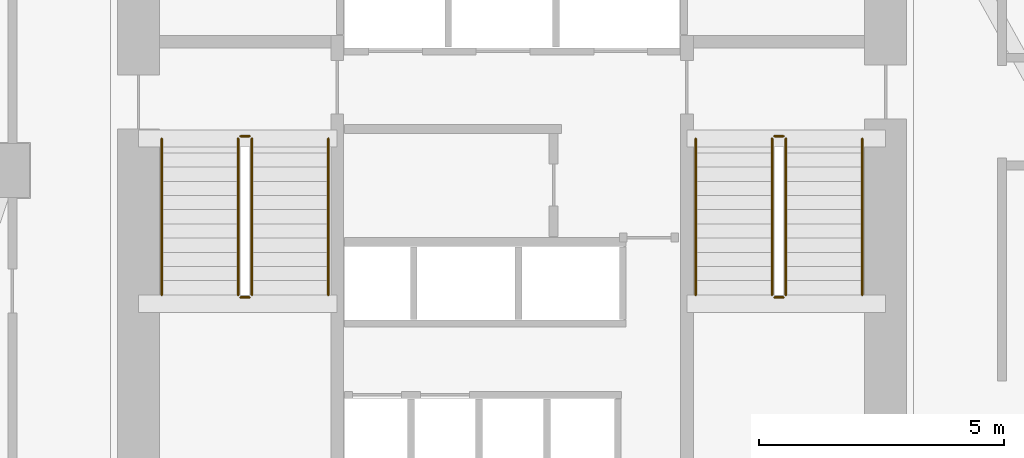
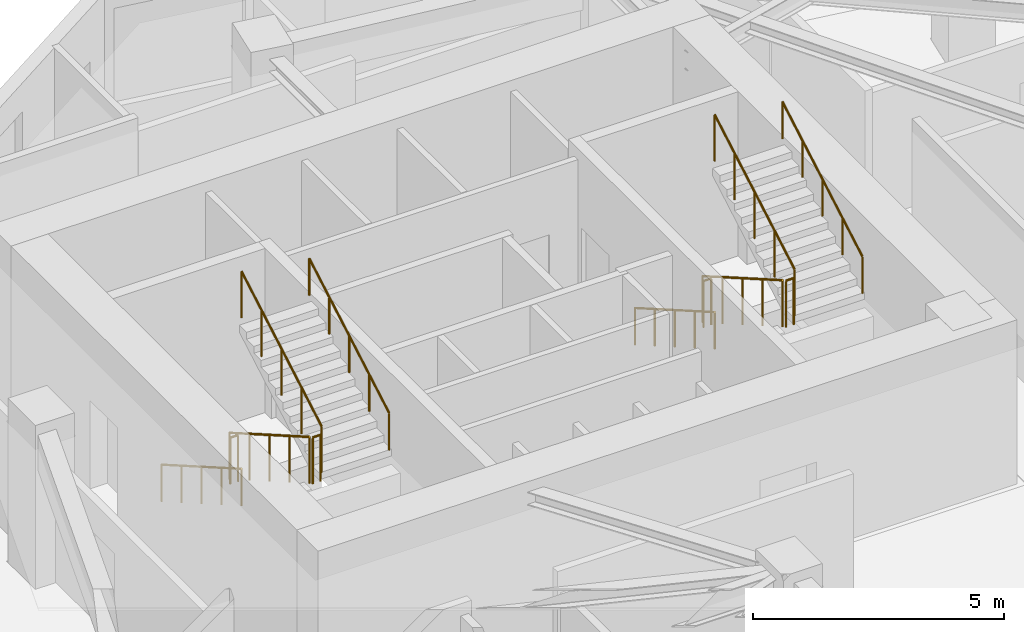
# One storey, part 11 of 11: 12 railings.
"""IFC4 building model written with IfcOpenShell, lengths in metres."""

from ifc_helpers import new_model, si_unit, direction, frame, origin, origin_2d, place, context, subcontext, project, spatial, circle, extrude, material, type_object, element, save


model = new_model("IFC4")

# Units and contexts
model_context = context("Model", 3, precision=1e-05, world=origin(), true_north=direction((0.0, 1.0)))
body_context = subcontext(model_context, "Body", "Model", "MODEL_VIEW")
ifc_project = project(units=[si_unit("LENGTHUNIT", "METRE"), si_unit("AREAUNIT", "SQUARE_METRE"), si_unit("VOLUMEUNIT", "CUBIC_METRE"), si_unit("PLANEANGLEUNIT", "RADIAN"), si_unit("MASSUNIT", "GRAM", prefix="KILO")], contexts=[model_context])

# Site, building, storey
site_placement = place(None, origin())
site = spatial("IfcSite", under=ifc_project, at=site_placement, CompositionType="ELEMENT")
building_placement = place(site_placement, origin())
building = spatial("IfcBuilding", under=site, at=building_placement, Name="Calvemar Wedge Station Tower", CompositionType="ELEMENT")
storey_placement = place(building_placement, frame((0.0, 0.0, 43.0)))
storey = spatial("IfcBuildingStorey", under=building, at=storey_placement, Name="L10", CompositionType="ELEMENT", Elevation=43.0)

# Railings
ifc_material_1 = material(Name="Stainless steel AISI 316L", Category="steel")
railing_type_1 = type_object("IfcRailingType", Name="RL-HANDRAIL-920", PredefinedType="HANDRAIL", material=ifc_material_1)
railing_1_placement = place(storey_placement, frame((16.64990234375, 41.14990234375, 0.166748046875)))
element("IfcRailing", 1, at=railing_1_placement, inside=storey, type_object=railing_type_1, Name="L10 ST-C1 stair handrail 1", PredefinedType="HANDRAIL", context=body_context, shape_type="SweptSolid", body=[
    extrude(circle(Radius=0.02392578125, at=origin_2d()), frame((0.0, 0.0, 0.89599609375), z_axis=(0.0, -0.867019545617, 0.498274128887), x_axis=(1.0, 0.0, 0.0)), (0.0, 0.0, 1.0), 3.67919921875),
    extrude(circle(Radius=0.02099609375, at=origin_2d()), origin(), (0.0, 0.0, 1.0), 0.871826171875),
    extrude(circle(Radius=0.02099609375, at=origin_2d()), frame((0.0, -0.79736328125, 0.458251953125)), (0.0, 0.0, 1.0), 0.871826171875),
    extrude(circle(Radius=0.02099609375, at=origin_2d()), frame((0.0, -1.594970703125, 0.91650390625)), (0.0, 0.0, 1.0), 0.871826171875),
    extrude(circle(Radius=0.02099609375, at=origin_2d()), frame((0.0, -2.392578125, 1.375)), (0.0, 0.0, 1.0), 0.871826171875),
    extrude(circle(Radius=0.02099609375, at=origin_2d()), frame((0.0, -3.18994140625, 1.833251953125)), (0.0, 0.0, 1.0), 0.871826171875),
])
railing_2_placement = place(storey_placement, frame((20.050048828125, 37.9599609375, 2.166748046875)))
element("IfcRailing", 2, at=railing_2_placement, inside=storey, type_object=railing_type_1, Name="L10 ST-C1 stair handrail 2", PredefinedType="HANDRAIL", context=body_context, shape_type="SweptSolid", body=[
    extrude(circle(Radius=0.02392578125, at=origin_2d()), frame((0.0, 0.0, 0.89599609375), z_axis=(0.0, 0.867019545617, 0.498274128887), x_axis=(-1.0, 0.0, 0.0)), (0.0, 0.0, 1.0), 3.67919921875),
    extrude(circle(Radius=0.02099609375, at=origin_2d()), origin(), (0.0, 0.0, 1.0), 0.871826171875),
    extrude(circle(Radius=0.02099609375, at=origin_2d()), frame((0.0, 0.79736328125, 0.458251953125)), (0.0, 0.0, 1.0), 0.871826171875),
    extrude(circle(Radius=0.02099609375, at=origin_2d()), frame((0.0, 1.594970703125, 0.91650390625)), (0.0, 0.0, 1.0), 0.871826171875),
    extrude(circle(Radius=0.02099609375, at=origin_2d()), frame((0.0, 2.392578125, 1.375)), (0.0, 0.0, 1.0), 0.871826171875),
    extrude(circle(Radius=0.02099609375, at=origin_2d()), frame((0.0, 3.18994140625, 1.833251953125)), (0.0, 0.0, 1.0), 0.871826171875),
])
railing_3_placement = place(storey_placement, frame((27.550048828125, 41.14990234375, 0.166748046875)))
element("IfcRailing", 3, at=railing_3_placement, inside=storey, type_object=railing_type_1, Name="L10 ST-C2 stair handrail 1", PredefinedType="HANDRAIL", context=body_context, shape_type="SweptSolid", body=[
    extrude(circle(Radius=0.02392578125, at=origin_2d()), frame((0.0, 0.0, 0.89599609375), z_axis=(0.0, -0.867019545617, 0.498274128887), x_axis=(1.0, 0.0, 0.0)), (0.0, 0.0, 1.0), 3.67919921875),
    extrude(circle(Radius=0.02099609375, at=origin_2d()), origin(), (0.0, 0.0, 1.0), 0.871826171875),
    extrude(circle(Radius=0.02099609375, at=origin_2d()), frame((0.0, -0.79736328125, 0.458251953125)), (0.0, 0.0, 1.0), 0.871826171875),
    extrude(circle(Radius=0.02099609375, at=origin_2d()), frame((0.0, -1.594970703125, 0.91650390625)), (0.0, 0.0, 1.0), 0.871826171875),
    extrude(circle(Radius=0.02099609375, at=origin_2d()), frame((0.0, -2.392578125, 1.375)), (0.0, 0.0, 1.0), 0.871826171875),
    extrude(circle(Radius=0.02099609375, at=origin_2d()), frame((0.0, -3.18994140625, 1.833251953125)), (0.0, 0.0, 1.0), 0.871826171875),
])
railing_4_placement = place(storey_placement, frame((30.949951171875, 37.9599609375, 2.166748046875)))
element("IfcRailing", 4, at=railing_4_placement, inside=storey, type_object=railing_type_1, Name="L10 ST-C2 stair handrail 2", PredefinedType="HANDRAIL", context=body_context, shape_type="SweptSolid", body=[
    extrude(circle(Radius=0.02392578125, at=origin_2d()), frame((0.0, 0.0, 0.89599609375), z_axis=(0.0, 0.867019545617, 0.498274128887), x_axis=(-1.0, 0.0, 0.0)), (0.0, 0.0, 1.0), 3.67919921875),
    extrude(circle(Radius=0.02099609375, at=origin_2d()), origin(), (0.0, 0.0, 1.0), 0.871826171875),
    extrude(circle(Radius=0.02099609375, at=origin_2d()), frame((0.0, 0.79736328125, 0.458251953125)), (0.0, 0.0, 1.0), 0.871826171875),
    extrude(circle(Radius=0.02099609375, at=origin_2d()), frame((0.0, 1.594970703125, 0.91650390625)), (0.0, 0.0, 1.0), 0.871826171875),
    extrude(circle(Radius=0.02099609375, at=origin_2d()), frame((0.0, 2.392578125, 1.375)), (0.0, 0.0, 1.0), 0.871826171875),
    extrude(circle(Radius=0.02099609375, at=origin_2d()), frame((0.0, 3.18994140625, 1.833251953125)), (0.0, 0.0, 1.0), 0.871826171875),
])
ifc_material_2 = material(Name="Painted steel guardrail ASTM A500 Grade C", Category="steel")
railing_type_2 = type_object("IfcRailingType", Name="RL-STAIR-GUARD-1150", PredefinedType="GUARDRAIL", material=ifc_material_2)
railing_5_placement = place(storey_placement, frame((18.2099609375, 41.14990234375, 0.166748046875)))
element("IfcRailing", 5, at=railing_5_placement, inside=storey, type_object=railing_type_2, Name="L10 ST-C1 stair guard 1", PredefinedType="GUARDRAIL", context=body_context, shape_type="SweptSolid", body=[
    extrude(circle(Radius=0.02392578125, at=origin_2d()), frame((0.0, 0.0, 1.1259765625), z_axis=(0.0, -0.867019545617, 0.498274128887), x_axis=(1.0, 0.0, 0.0)), (0.0, 0.0, 1.0), 3.67919921875),
    extrude(circle(Radius=0.02099609375, at=origin_2d()), origin(), (0.0, 0.0, 1.0), 1.101806640625),
    extrude(circle(Radius=0.02099609375, at=origin_2d()), frame((0.0, -0.79736328125, 0.458251953125)), (0.0, 0.0, 1.0), 1.101806640625),
    extrude(circle(Radius=0.02099609375, at=origin_2d()), frame((0.0, -1.594970703125, 0.91650390625)), (0.0, 0.0, 1.0), 1.101806640625),
    extrude(circle(Radius=0.02099609375, at=origin_2d()), frame((0.0, -2.392578125, 1.375)), (0.0, 0.0, 1.0), 1.101806640625),
    extrude(circle(Radius=0.02099609375, at=origin_2d()), frame((0.0, -3.18994140625, 1.833251953125)), (0.0, 0.0, 1.0), 1.101806640625),
])
railing_6_placement = place(storey_placement, frame((18.260009765625, 37.909912109375, 2.0)))
element("IfcRailing", 6, at=railing_6_placement, inside=storey, type_object=railing_type_2, Name="L10 ST-C1 stair guard 2", PredefinedType="GUARDRAIL", context=body_context, shape_type="SweptSolid", body=[
    extrude(circle(Radius=0.02392578125, at=origin_2d()), frame((0.0, 0.0, 1.1259765625), z_axis=(1.0, 0.0, 0.0), x_axis=(0.0, 1.0, 0.0)), (0.0, 0.0, 1.0), 0.179931640625),
    extrude(circle(Radius=0.02099609375, at=origin_2d()), origin(), (0.0, 0.0, 1.0), 1.101806640625),
    extrude(circle(Radius=0.02099609375, at=origin_2d()), frame((0.179931640625, 0.0, 0.0)), (0.0, 0.0, 1.0), 1.101806640625),
])
railing_7_placement = place(storey_placement, frame((18.489990234375, 37.9599609375, 2.166748046875)))
element("IfcRailing", 7, at=railing_7_placement, inside=storey, type_object=railing_type_2, Name="L10 ST-C1 stair guard 3", PredefinedType="GUARDRAIL", context=body_context, shape_type="SweptSolid", body=[
    extrude(circle(Radius=0.02392578125, at=origin_2d()), frame((0.0, 0.0, 1.1259765625), z_axis=(0.0, 0.867019545617, 0.498274128887), x_axis=(-1.0, 0.0, 0.0)), (0.0, 0.0, 1.0), 3.67919921875),
    extrude(circle(Radius=0.02099609375, at=origin_2d()), origin(), (0.0, 0.0, 1.0), 1.101806640625),
    extrude(circle(Radius=0.02099609375, at=origin_2d()), frame((0.0, 0.79736328125, 0.458251953125)), (0.0, 0.0, 1.0), 1.101806640625),
    extrude(circle(Radius=0.02099609375, at=origin_2d()), frame((0.0, 1.594970703125, 0.91650390625)), (0.0, 0.0, 1.0), 1.101806640625),
    extrude(circle(Radius=0.02099609375, at=origin_2d()), frame((0.0, 2.392578125, 1.375)), (0.0, 0.0, 1.0), 1.101806640625),
    extrude(circle(Radius=0.02099609375, at=origin_2d()), frame((0.0, 3.18994140625, 1.833251953125)), (0.0, 0.0, 1.0), 1.101806640625),
])
railing_8_placement = place(storey_placement, frame((18.260009765625, 41.199951171875, 0.0)))
element("IfcRailing", 8, at=railing_8_placement, inside=storey, type_object=railing_type_2, Name="L10 ST-C1 stair guard 4", PredefinedType="GUARDRAIL", context=body_context, shape_type="SweptSolid", body=[
    extrude(circle(Radius=0.02392578125, at=origin_2d()), frame((0.0, 0.0, 1.1259765625), z_axis=(1.0, 0.0, 0.0), x_axis=(0.0, 1.0, 0.0)), (0.0, 0.0, 1.0), 0.179931640625),
    extrude(circle(Radius=0.02099609375, at=origin_2d()), origin(), (0.0, 0.0, 1.0), 1.101806640625),
    extrude(circle(Radius=0.02099609375, at=origin_2d()), frame((0.179931640625, 0.0, 0.0)), (0.0, 0.0, 1.0), 1.101806640625),
])
railing_9_placement = place(storey_placement, frame((29.110107421875, 41.14990234375, 0.166748046875)))
element("IfcRailing", 9, at=railing_9_placement, inside=storey, type_object=railing_type_2, Name="L10 ST-C2 stair guard 1", PredefinedType="GUARDRAIL", context=body_context, shape_type="SweptSolid", body=[
    extrude(circle(Radius=0.02392578125, at=origin_2d()), frame((0.0, 0.0, 1.1259765625), z_axis=(0.0, -0.867019545617, 0.498274128887), x_axis=(1.0, 0.0, 0.0)), (0.0, 0.0, 1.0), 3.67919921875),
    extrude(circle(Radius=0.02099609375, at=origin_2d()), origin(), (0.0, 0.0, 1.0), 1.101806640625),
    extrude(circle(Radius=0.02099609375, at=origin_2d()), frame((0.0, -0.79736328125, 0.458251953125)), (0.0, 0.0, 1.0), 1.101806640625),
    extrude(circle(Radius=0.02099609375, at=origin_2d()), frame((0.0, -1.594970703125, 0.91650390625)), (0.0, 0.0, 1.0), 1.101806640625),
    extrude(circle(Radius=0.02099609375, at=origin_2d()), frame((0.0, -2.392578125, 1.375)), (0.0, 0.0, 1.0), 1.101806640625),
    extrude(circle(Radius=0.02099609375, at=origin_2d()), frame((0.0, -3.18994140625, 1.833251953125)), (0.0, 0.0, 1.0), 1.101806640625),
])
railing_10_placement = place(storey_placement, frame((29.159912109375, 37.909912109375, 2.0)))
element("IfcRailing", 10, at=railing_10_placement, inside=storey, type_object=railing_type_2, Name="L10 ST-C2 stair guard 2", PredefinedType="GUARDRAIL", context=body_context, shape_type="SweptSolid", body=[
    extrude(circle(Radius=0.02392578125, at=origin_2d()), frame((0.0, 0.0, 1.1259765625), z_axis=(1.0, 0.0, 0.0), x_axis=(0.0, 1.0, 0.0)), (0.0, 0.0, 1.0), 0.18017578125),
    extrude(circle(Radius=0.02099609375, at=origin_2d()), origin(), (0.0, 0.0, 1.0), 1.101806640625),
    extrude(circle(Radius=0.02099609375, at=origin_2d()), frame((0.18017578125, 0.0, 0.0)), (0.0, 0.0, 1.0), 1.101806640625),
])
railing_11_placement = place(storey_placement, frame((29.389892578125, 37.9599609375, 2.166748046875)))
element("IfcRailing", 11, at=railing_11_placement, inside=storey, type_object=railing_type_2, Name="L10 ST-C2 stair guard 3", PredefinedType="GUARDRAIL", context=body_context, shape_type="SweptSolid", body=[
    extrude(circle(Radius=0.02392578125, at=origin_2d()), frame((0.0, 0.0, 1.1259765625), z_axis=(0.0, 0.867019545617, 0.498274128887), x_axis=(-1.0, 0.0, 0.0)), (0.0, 0.0, 1.0), 3.67919921875),
    extrude(circle(Radius=0.02099609375, at=origin_2d()), origin(), (0.0, 0.0, 1.0), 1.101806640625),
    extrude(circle(Radius=0.02099609375, at=origin_2d()), frame((0.0, 0.79736328125, 0.458251953125)), (0.0, 0.0, 1.0), 1.101806640625),
    extrude(circle(Radius=0.02099609375, at=origin_2d()), frame((0.0, 1.594970703125, 0.91650390625)), (0.0, 0.0, 1.0), 1.101806640625),
    extrude(circle(Radius=0.02099609375, at=origin_2d()), frame((0.0, 2.392578125, 1.375)), (0.0, 0.0, 1.0), 1.101806640625),
    extrude(circle(Radius=0.02099609375, at=origin_2d()), frame((0.0, 3.18994140625, 1.833251953125)), (0.0, 0.0, 1.0), 1.101806640625),
])
railing_12_placement = place(storey_placement, frame((29.159912109375, 41.199951171875, 0.0)))
element("IfcRailing", 12, at=railing_12_placement, inside=storey, type_object=railing_type_2, Name="L10 ST-C2 stair guard 4", PredefinedType="GUARDRAIL", context=body_context, shape_type="SweptSolid", body=[
    extrude(circle(Radius=0.02392578125, at=origin_2d()), frame((0.0, 0.0, 1.1259765625), z_axis=(1.0, 0.0, 0.0), x_axis=(0.0, 1.0, 0.0)), (0.0, 0.0, 1.0), 0.18017578125),
    extrude(circle(Radius=0.02099609375, at=origin_2d()), origin(), (0.0, 0.0, 1.0), 1.101806640625),
    extrude(circle(Radius=0.02099609375, at=origin_2d()), frame((0.18017578125, 0.0, 0.0)), (0.0, 0.0, 1.0), 1.101806640625),
])

save(model, "model.ifc")
